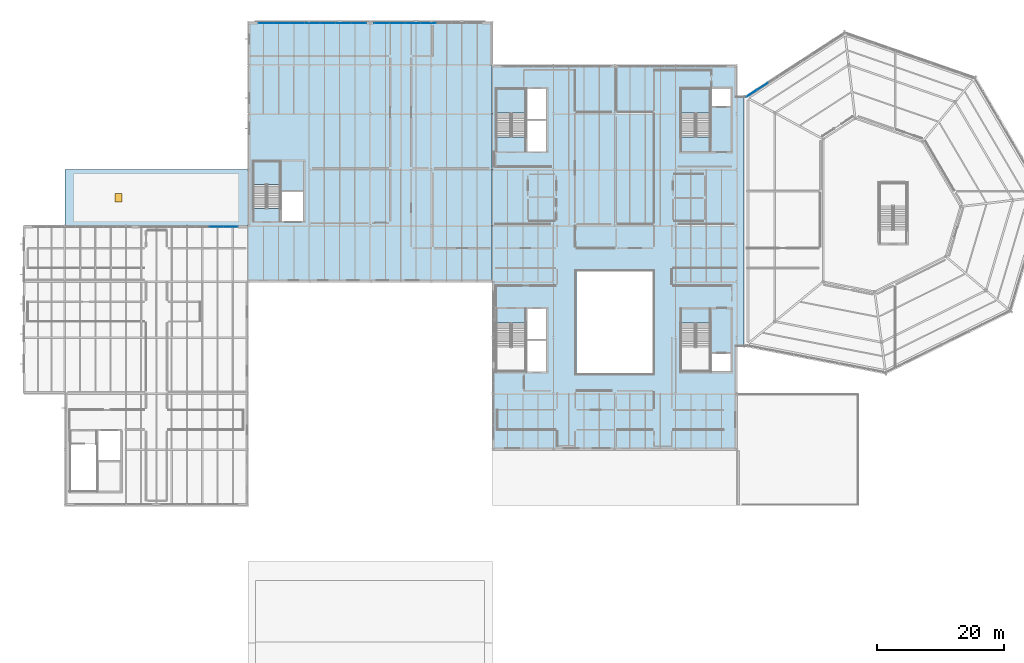
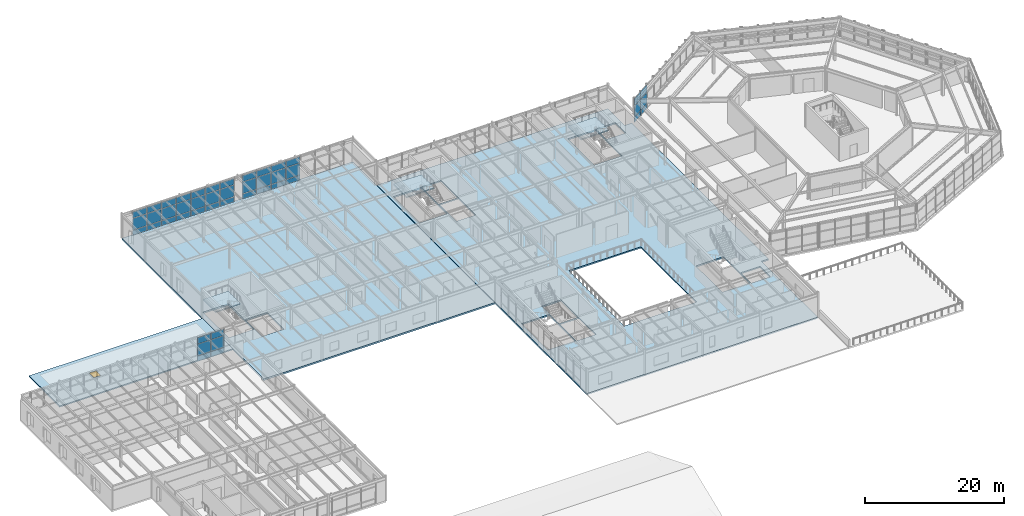
# One storey, part 40 of 69: 45 plates, 6 slabs, 1 door, 1 opening, 7 elements without a shape of their own.
"""IFC4 building model written with IfcOpenShell, lengths in metres."""

from ifc_helpers import new_model, si_unit, direction, frame, origin, origin_2d, place, context, subcontext, project, spatial, polyline, rectangle, outline, extrude, material, layer, layer_set, type_object, element, fill, aggregate, save


model = new_model("IFC4")

# Units and contexts
model_context = context("Model", 3, precision=1e-05, world=origin(), true_north=direction((0.0, 1.0)))
body_context = subcontext(model_context, "Body", "Model", "MODEL_VIEW")
ifc_project = project(units=[si_unit("LENGTHUNIT", "METRE"), si_unit("AREAUNIT", "SQUARE_METRE"), si_unit("VOLUMEUNIT", "CUBIC_METRE"), si_unit("PLANEANGLEUNIT", "RADIAN"), si_unit("MASSUNIT", "GRAM", prefix="KILO")], contexts=[model_context])

# Site, building, storey
site_placement = place(None, origin())
site = spatial("IfcSite", under=ifc_project, at=site_placement, CompositionType="ELEMENT")
building_placement = place(site_placement, origin())
building = spatial("IfcBuilding", under=site, at=building_placement, Name="Sarnbrook Museum", CompositionType="ELEMENT")
storey_placement = place(building_placement, frame((0.0, 0.0, 14.60009765625)))
storey = spatial("IfcBuildingStorey", under=building, at=storey_placement, Name="L03", CompositionType="ELEMENT", Elevation=14.60009765625)

# Curtain wall, plates
ifc_material_1 = material(Name="Thermally Broken Anodised Aluminium 6063-T6", Category="aluminium")
curtain_wall_type_1 = type_object("IfcCurtainWallType", Name="CurtainWall_CrystalFacet", PredefinedType="NOTDEFINED", material=ifc_material_1)
curtain_wall_1_placement = place(storey_placement, origin())
curtain_wall_1 = element("IfcCurtainWall", 1, at=curtain_wall_1_placement, inside=storey, type_object=curtain_wall_type_1, Name="Crystal Hall Facet Curtain Wall L03-F6.3", PredefinedType="NOTDEFINED")
ifc_material_2 = material(Name="Double-Glazed Low-Iron Laminated Safety Glass", Category="glass")
ifc_layer_1 = layer(ifc_material_2, 0.031982421875)
ifc_layer_set_1 = layer_set([ifc_layer_1], Name="Double-Glazed Low-Iron Laminated Safety Glass")
plate_type_1 = type_object("IfcPlateType", Name="CW_GlazedPanel_32", PredefinedType="CURTAIN_PANEL", material=ifc_layer_set_1)
plate_1_placement = place(storey_placement, frame((123.257080078125, 105.07763671875, 1.875), z_axis=(-0.54428459897, 0.838900634953, 0.0), x_axis=(-0.838900634953, -0.54428459897, 0.0)))
plate_1 = element("IfcPlate", 2, at=plate_1_placement, type_object=plate_type_1, Name="Crystal Hall Facet Curtain Wall L03-F6.3 Glazed Panel 2-2", PredefinedType="CURTAIN_PANEL", context=body_context, shape_type="SweptSolid", body=[
    extrude(rectangle(XDim=1.928955078125, YDim=1.8798828125, at=origin_2d()), origin(), (0.0, 0.0, 1.0), 0.031982421875),
])
plate_2_placement = place(storey_placement, frame((123.257080078125, 105.07763671875, 3.544921875), z_axis=(-0.54428459897, 0.838900634953, 0.0), x_axis=(-0.838900634953, -0.54428459897, 0.0)))
plate_2 = element("IfcPlate", 3, at=plate_2_placement, type_object=plate_type_1, Name="Crystal Hall Facet Curtain Wall L03-F6.3 Glazed Panel 2-3", PredefinedType="CURTAIN_PANEL", context=body_context, shape_type="SweptSolid", body=[
    extrude(rectangle(XDim=1.928955078125, YDim=1.320068359375, at=origin_2d()), origin(), (0.0, 0.0, 1.0), 0.031982421875),
])
plate_3_placement = place(storey_placement, frame((121.576171875, 103.98681640625, 1.875), z_axis=(-0.54428459897, 0.838900634953, 0.0), x_axis=(-0.838900634953, -0.54428459897, 0.0)))
plate_3 = element("IfcPlate", 4, at=plate_3_placement, type_object=plate_type_1, Name="Crystal Hall Facet Curtain Wall L03-F6.3 Glazed Panel 3-2", PredefinedType="CURTAIN_PANEL", context=body_context, shape_type="SweptSolid", body=[
    extrude(rectangle(XDim=1.928955078125, YDim=1.8798828125, at=origin_2d()), origin(), (0.0, 0.0, 1.0), 0.031982421875),
])
plate_4_placement = place(storey_placement, frame((121.576171875, 103.98681640625, 3.544921875), z_axis=(-0.54428459897, 0.838900634953, 0.0), x_axis=(-0.838900634953, -0.54428459897, 0.0)))
plate_4 = element("IfcPlate", 5, at=plate_4_placement, type_object=plate_type_1, Name="Crystal Hall Facet Curtain Wall L03-F6.3 Glazed Panel 3-3", PredefinedType="CURTAIN_PANEL", context=body_context, shape_type="SweptSolid", body=[
    extrude(rectangle(XDim=1.928955078125, YDim=1.320068359375, at=origin_2d()), origin(), (0.0, 0.0, 1.0), 0.031982421875),
])

curtain_wall_type_2 = type_object("IfcCurtainWallType", Name="CurtainWall_GalleryRibbon", PredefinedType="NOTDEFINED", material=ifc_material_1)
curtain_wall_2_placement = place(storey_placement, origin())
curtain_wall_2 = element("IfcCurtainWall", 6, at=curtain_wall_2_placement, inside=storey, type_object=curtain_wall_type_2, Name="Gallery Ribbon Curtain Wall L03-8.1", PredefinedType="NOTDEFINED")
plate_5_placement = place(storey_placement, frame((70.699951171875, 115.01220703125, 1.949951171875), z_axis=(0.0, 1.0, 0.0), x_axis=(-1.0, 0.0, 0.0)))
plate_5 = element("IfcPlate", 7, at=plate_5_placement, type_object=plate_type_1, Name="Gallery Ribbon Curtain Wall L03-8.1 Glazed Panel 4-2", PredefinedType="CURTAIN_PANEL", context=body_context, shape_type="SweptSolid", body=[
    extrude(rectangle(XDim=2.347900390625, YDim=2.030029296875, at=origin_2d()), origin(), (0.0, 0.0, 1.0), 0.031982421875),
])
plate_6_placement = place(storey_placement, frame((70.699951171875, 115.01220703125, 3.579833984375), z_axis=(0.0, 1.0, 0.0), x_axis=(-1.0, 0.0, 0.0)))
plate_6 = element("IfcPlate", 8, at=plate_6_placement, type_object=plate_type_1, Name="Gallery Ribbon Curtain Wall L03-8.1 Glazed Panel 4-3", PredefinedType="CURTAIN_PANEL", context=body_context, shape_type="SweptSolid", body=[
    extrude(rectangle(XDim=2.347900390625, YDim=1.090087890625, at=origin_2d()), origin(), (0.0, 0.0, 1.0), 0.031982421875),
])
plate_7_placement = place(storey_placement, frame((68.277099609375, 115.01220703125, 1.949951171875), z_axis=(0.0, 1.0, 0.0), x_axis=(-1.0, 0.0, 0.0)))
plate_7 = element("IfcPlate", 9, at=plate_7_placement, type_object=plate_type_1, Name="Gallery Ribbon Curtain Wall L03-8.1 Glazed Panel 5-2", PredefinedType="CURTAIN_PANEL", context=body_context, shape_type="SweptSolid", body=[
    extrude(rectangle(XDim=2.347900390625, YDim=2.030029296875, at=origin_2d()), origin(), (0.0, 0.0, 1.0), 0.031982421875),
])
plate_8_placement = place(storey_placement, frame((68.277099609375, 115.01220703125, 3.579833984375), z_axis=(0.0, 1.0, 0.0), x_axis=(-1.0, 0.0, 0.0)))
plate_8 = element("IfcPlate", 10, at=plate_8_placement, type_object=plate_type_1, Name="Gallery Ribbon Curtain Wall L03-8.1 Glazed Panel 5-3", PredefinedType="CURTAIN_PANEL", context=body_context, shape_type="SweptSolid", body=[
    extrude(rectangle(XDim=2.347900390625, YDim=1.090087890625, at=origin_2d()), origin(), (0.0, 0.0, 1.0), 0.031982421875),
])
plate_9_placement = place(storey_placement, frame((65.854248046875, 115.01220703125, 1.949951171875), z_axis=(0.0, 1.0, 0.0), x_axis=(-1.0, 0.0, 0.0)))
plate_9 = element("IfcPlate", 11, at=plate_9_placement, type_object=plate_type_1, Name="Gallery Ribbon Curtain Wall L03-8.1 Glazed Panel 6-2", PredefinedType="CURTAIN_PANEL", context=body_context, shape_type="SweptSolid", body=[
    extrude(rectangle(XDim=2.347900390625, YDim=2.030029296875, at=origin_2d()), origin(), (0.0, 0.0, 1.0), 0.031982421875),
])
plate_10_placement = place(storey_placement, frame((65.854248046875, 115.01220703125, 3.579833984375), z_axis=(0.0, 1.0, 0.0), x_axis=(-1.0, 0.0, 0.0)))
plate_10 = element("IfcPlate", 12, at=plate_10_placement, type_object=plate_type_1, Name="Gallery Ribbon Curtain Wall L03-8.1 Glazed Panel 6-3", PredefinedType="CURTAIN_PANEL", context=body_context, shape_type="SweptSolid", body=[
    extrude(rectangle(XDim=2.347900390625, YDim=1.090087890625, at=origin_2d()), origin(), (0.0, 0.0, 1.0), 0.031982421875),
])
plate_11_placement = place(storey_placement, frame((63.431396484375, 115.01220703125, 1.949951171875), z_axis=(0.0, 1.0, 0.0), x_axis=(-1.0, 0.0, 0.0)))
plate_11 = element("IfcPlate", 13, at=plate_11_placement, type_object=plate_type_1, Name="Gallery Ribbon Curtain Wall L03-8.1 Glazed Panel 7-2", PredefinedType="CURTAIN_PANEL", context=body_context, shape_type="SweptSolid", body=[
    extrude(rectangle(XDim=2.347900390625, YDim=2.030029296875, at=origin_2d()), origin(), (0.0, 0.0, 1.0), 0.031982421875),
])
plate_12_placement = place(storey_placement, frame((63.431396484375, 115.01220703125, 3.579833984375), z_axis=(0.0, 1.0, 0.0), x_axis=(-1.0, 0.0, 0.0)))
plate_12 = element("IfcPlate", 14, at=plate_12_placement, type_object=plate_type_1, Name="Gallery Ribbon Curtain Wall L03-8.1 Glazed Panel 7-3", PredefinedType="CURTAIN_PANEL", context=body_context, shape_type="SweptSolid", body=[
    extrude(rectangle(XDim=2.347900390625, YDim=1.090087890625, at=origin_2d()), origin(), (0.0, 0.0, 1.0), 0.031982421875),
])

curtain_wall_3_placement = place(storey_placement, origin())
curtain_wall_3 = element("IfcCurtainWall", 15, at=curtain_wall_3_placement, inside=storey, type_object=curtain_wall_type_2, Name="Gallery Ribbon Curtain Wall L03-8.2", PredefinedType="NOTDEFINED")
plate_13_placement = place(storey_placement, frame((59.7685546875, 115.01220703125, 1.949951171875), z_axis=(0.0, 1.0, 0.0), x_axis=(-1.0, 0.0, 0.0)))
plate_13 = element("IfcPlate", 16, at=plate_13_placement, type_object=plate_type_1, Name="Gallery Ribbon Curtain Wall L03-8.2 Glazed Panel 1-2", PredefinedType="CURTAIN_PANEL", context=body_context, shape_type="SweptSolid", body=[
    extrude(rectangle(XDim=2.347900390625, YDim=2.030029296875, at=origin_2d()), origin(), (0.0, 0.0, 1.0), 0.031982421875),
])
plate_14_placement = place(storey_placement, frame((59.7685546875, 115.01220703125, 3.579833984375), z_axis=(0.0, 1.0, 0.0), x_axis=(-1.0, 0.0, 0.0)))
plate_14 = element("IfcPlate", 17, at=plate_14_placement, type_object=plate_type_1, Name="Gallery Ribbon Curtain Wall L03-8.2 Glazed Panel 1-3", PredefinedType="CURTAIN_PANEL", context=body_context, shape_type="SweptSolid", body=[
    extrude(rectangle(XDim=2.347900390625, YDim=1.090087890625, at=origin_2d()), origin(), (0.0, 0.0, 1.0), 0.031982421875),
])
plate_15_placement = place(storey_placement, frame((57.345703125, 115.01220703125, 1.949951171875), z_axis=(0.0, 1.0, 0.0), x_axis=(-1.0, 0.0, 0.0)))
plate_15 = element("IfcPlate", 18, at=plate_15_placement, type_object=plate_type_1, Name="Gallery Ribbon Curtain Wall L03-8.2 Glazed Panel 2-2", PredefinedType="CURTAIN_PANEL", context=body_context, shape_type="SweptSolid", body=[
    extrude(rectangle(XDim=2.347900390625, YDim=2.030029296875, at=origin_2d()), origin(), (0.0, 0.0, 1.0), 0.031982421875),
])
plate_16_placement = place(storey_placement, frame((57.345703125, 115.01220703125, 3.579833984375), z_axis=(0.0, 1.0, 0.0), x_axis=(-1.0, 0.0, 0.0)))
plate_16 = element("IfcPlate", 19, at=plate_16_placement, type_object=plate_type_1, Name="Gallery Ribbon Curtain Wall L03-8.2 Glazed Panel 2-3", PredefinedType="CURTAIN_PANEL", context=body_context, shape_type="SweptSolid", body=[
    extrude(rectangle(XDim=2.347900390625, YDim=1.090087890625, at=origin_2d()), origin(), (0.0, 0.0, 1.0), 0.031982421875),
])
plate_17_placement = place(storey_placement, frame((54.9228515625, 115.01220703125, 1.949951171875), z_axis=(0.0, 1.0, 0.0), x_axis=(-1.0, 0.0, 0.0)))
plate_17 = element("IfcPlate", 20, at=plate_17_placement, type_object=plate_type_1, Name="Gallery Ribbon Curtain Wall L03-8.2 Glazed Panel 3-2", PredefinedType="CURTAIN_PANEL", context=body_context, shape_type="SweptSolid", body=[
    extrude(rectangle(XDim=2.347900390625, YDim=2.030029296875, at=origin_2d()), origin(), (0.0, 0.0, 1.0), 0.031982421875),
])
plate_18_placement = place(storey_placement, frame((54.9228515625, 115.01220703125, 3.579833984375), z_axis=(0.0, 1.0, 0.0), x_axis=(-1.0, 0.0, 0.0)))
plate_18 = element("IfcPlate", 21, at=plate_18_placement, type_object=plate_type_1, Name="Gallery Ribbon Curtain Wall L03-8.2 Glazed Panel 3-3", PredefinedType="CURTAIN_PANEL", context=body_context, shape_type="SweptSolid", body=[
    extrude(rectangle(XDim=2.347900390625, YDim=1.090087890625, at=origin_2d()), origin(), (0.0, 0.0, 1.0), 0.031982421875),
])
plate_19_placement = place(storey_placement, frame((52.5, 115.01220703125, 1.949951171875), z_axis=(0.0, 1.0, 0.0), x_axis=(-1.0, 0.0, 0.0)))
plate_19 = element("IfcPlate", 22, at=plate_19_placement, type_object=plate_type_1, Name="Gallery Ribbon Curtain Wall L03-8.2 Glazed Panel 4-2", PredefinedType="CURTAIN_PANEL", context=body_context, shape_type="SweptSolid", body=[
    extrude(rectangle(XDim=2.347900390625, YDim=2.030029296875, at=origin_2d()), origin(), (0.0, 0.0, 1.0), 0.031982421875),
])
plate_20_placement = place(storey_placement, frame((52.5, 115.01220703125, 3.579833984375), z_axis=(0.0, 1.0, 0.0), x_axis=(-1.0, 0.0, 0.0)))
plate_20 = element("IfcPlate", 23, at=plate_20_placement, type_object=plate_type_1, Name="Gallery Ribbon Curtain Wall L03-8.2 Glazed Panel 4-3", PredefinedType="CURTAIN_PANEL", context=body_context, shape_type="SweptSolid", body=[
    extrude(rectangle(XDim=2.347900390625, YDim=1.090087890625, at=origin_2d()), origin(), (0.0, 0.0, 1.0), 0.031982421875),
])
plate_21_placement = place(storey_placement, frame((50.0771484375, 115.01220703125, 1.949951171875), z_axis=(0.0, 1.0, 0.0), x_axis=(-1.0, 0.0, 0.0)))
plate_21 = element("IfcPlate", 24, at=plate_21_placement, type_object=plate_type_1, Name="Gallery Ribbon Curtain Wall L03-8.2 Glazed Panel 5-2", PredefinedType="CURTAIN_PANEL", context=body_context, shape_type="SweptSolid", body=[
    extrude(rectangle(XDim=2.347900390625, YDim=2.030029296875, at=origin_2d()), origin(), (0.0, 0.0, 1.0), 0.031982421875),
])
plate_22_placement = place(storey_placement, frame((50.0771484375, 115.01220703125, 3.579833984375), z_axis=(0.0, 1.0, 0.0), x_axis=(-1.0, 0.0, 0.0)))
plate_22 = element("IfcPlate", 25, at=plate_22_placement, type_object=plate_type_1, Name="Gallery Ribbon Curtain Wall L03-8.2 Glazed Panel 5-3", PredefinedType="CURTAIN_PANEL", context=body_context, shape_type="SweptSolid", body=[
    extrude(rectangle(XDim=2.347900390625, YDim=1.090087890625, at=origin_2d()), origin(), (0.0, 0.0, 1.0), 0.031982421875),
])
plate_23_placement = place(storey_placement, frame((47.654296875, 115.01220703125, 1.949951171875), z_axis=(0.0, 1.0, 0.0), x_axis=(-1.0, 0.0, 0.0)))
plate_23 = element("IfcPlate", 26, at=plate_23_placement, type_object=plate_type_1, Name="Gallery Ribbon Curtain Wall L03-8.2 Glazed Panel 6-2", PredefinedType="CURTAIN_PANEL", context=body_context, shape_type="SweptSolid", body=[
    extrude(rectangle(XDim=2.347900390625, YDim=2.030029296875, at=origin_2d()), origin(), (0.0, 0.0, 1.0), 0.031982421875),
])
plate_24_placement = place(storey_placement, frame((47.654296875, 115.01220703125, 3.579833984375), z_axis=(0.0, 1.0, 0.0), x_axis=(-1.0, 0.0, 0.0)))
plate_24 = element("IfcPlate", 27, at=plate_24_placement, type_object=plate_type_1, Name="Gallery Ribbon Curtain Wall L03-8.2 Glazed Panel 6-3", PredefinedType="CURTAIN_PANEL", context=body_context, shape_type="SweptSolid", body=[
    extrude(rectangle(XDim=2.347900390625, YDim=1.090087890625, at=origin_2d()), origin(), (0.0, 0.0, 1.0), 0.031982421875),
])
plate_25_placement = place(storey_placement, frame((45.2314453125, 115.01220703125, 1.949951171875), z_axis=(0.0, 1.0, 0.0), x_axis=(-1.0, 0.0, 0.0)))
plate_25 = element("IfcPlate", 28, at=plate_25_placement, type_object=plate_type_1, Name="Gallery Ribbon Curtain Wall L03-8.2 Glazed Panel 7-2", PredefinedType="CURTAIN_PANEL", context=body_context, shape_type="SweptSolid", body=[
    extrude(rectangle(XDim=2.347900390625, YDim=2.030029296875, at=origin_2d()), origin(), (0.0, 0.0, 1.0), 0.031982421875),
])
plate_26_placement = place(storey_placement, frame((45.2314453125, 115.01220703125, 3.579833984375), z_axis=(0.0, 1.0, 0.0), x_axis=(-1.0, 0.0, 0.0)))
plate_26 = element("IfcPlate", 29, at=plate_26_placement, type_object=plate_type_1, Name="Gallery Ribbon Curtain Wall L03-8.2 Glazed Panel 7-3", PredefinedType="CURTAIN_PANEL", context=body_context, shape_type="SweptSolid", body=[
    extrude(rectangle(XDim=2.347900390625, YDim=1.090087890625, at=origin_2d()), origin(), (0.0, 0.0, 1.0), 0.031982421875),
])

curtain_wall_4_placement = place(storey_placement, origin())
curtain_wall_4 = element("IfcCurtainWall", 30, at=curtain_wall_4_placement, inside=storey, type_object=curtain_wall_type_2, Name="Gallery Ribbon Curtain Wall L03-10.1", PredefinedType="NOTDEFINED")
plate_27_placement = place(storey_placement, frame((39.67578125, 83.01220703125, 1.949951171875), z_axis=(0.0, 1.0, 0.0), x_axis=(-1.0, 0.0, 0.0)))
plate_27 = element("IfcPlate", 31, at=plate_27_placement, type_object=plate_type_1, Name="Gallery Ribbon Curtain Wall L03-10.1 Glazed Panel 1-2", PredefinedType="CURTAIN_PANEL", context=body_context, shape_type="SweptSolid", body=[
    extrude(rectangle(XDim=2.133544921875, YDim=2.030029296875, at=origin_2d()), origin(), (0.0, 0.0, 1.0), 0.031982421875),
])
plate_28_placement = place(storey_placement, frame((39.67578125, 83.01220703125, 3.579833984375), z_axis=(0.0, 1.0, 0.0), x_axis=(-1.0, 0.0, 0.0)))
plate_28 = element("IfcPlate", 32, at=plate_28_placement, type_object=plate_type_1, Name="Gallery Ribbon Curtain Wall L03-10.1 Glazed Panel 1-3", PredefinedType="CURTAIN_PANEL", context=body_context, shape_type="SweptSolid", body=[
    extrude(rectangle(XDim=2.133544921875, YDim=1.090087890625, at=origin_2d()), origin(), (0.0, 0.0, 1.0), 0.031982421875),
])
plate_29_placement = place(storey_placement, frame((37.467041015625, 83.01220703125, 1.949951171875), z_axis=(0.0, 1.0, 0.0), x_axis=(-1.0, 0.0, 0.0)))
plate_29 = element("IfcPlate", 33, at=plate_29_placement, type_object=plate_type_1, Name="Gallery Ribbon Curtain Wall L03-10.1 Glazed Panel 2-2", PredefinedType="CURTAIN_PANEL", context=body_context, shape_type="SweptSolid", body=[
    extrude(rectangle(XDim=2.133544921875, YDim=2.030029296875, at=origin_2d()), origin(), (0.0, 0.0, 1.0), 0.031982421875),
])
plate_30_placement = place(storey_placement, frame((37.467041015625, 83.01220703125, 3.579833984375), z_axis=(0.0, 1.0, 0.0), x_axis=(-1.0, 0.0, 0.0)))
plate_30 = element("IfcPlate", 34, at=plate_30_placement, type_object=plate_type_1, Name="Gallery Ribbon Curtain Wall L03-10.1 Glazed Panel 2-3", PredefinedType="CURTAIN_PANEL", context=body_context, shape_type="SweptSolid", body=[
    extrude(rectangle(XDim=2.133544921875, YDim=1.090087890625, at=origin_2d()), origin(), (0.0, 0.0, 1.0), 0.031982421875),
])

# Plate
ifc_material_3 = material(Name="Patinated Architectural Bronze")
ifc_layer_2 = layer(ifc_material_3, 0.044921875)
ifc_layer_set_2 = layer_set([ifc_layer_2], Name="Patinated Architectural Bronze")
plate_type_2 = type_object("IfcPlateType", Name="CW_SpandrelPanel_45", PredefinedType="CURTAIN_PANEL", material=ifc_layer_set_2)
plate_31_placement = place(storey_placement, frame((123.260498046875, 105.072265625, 0.449951171875), z_axis=(-0.54428459897, 0.838900634953, 0.0), x_axis=(-0.838900634953, -0.54428459897, 0.0)))
plate_31 = element("IfcPlate", 35, at=plate_31_placement, type_object=plate_type_2, Name="Crystal Hall Facet Curtain Wall L03-F6.3 Spandrel Panel 2-1", PredefinedType="CURTAIN_PANEL", context=body_context, shape_type="SweptSolid", body=[
    extrude(rectangle(XDim=1.928955078125, YDim=0.830078125, at=origin_2d()), origin(), (0.0, 0.0, 1.0), 0.044921875),
])

plate_32_placement = place(storey_placement, frame((121.57958984375, 103.9814453125, 0.449951171875), z_axis=(-0.54428459897, 0.838900634953, 0.0), x_axis=(-0.838900634953, -0.54428459897, 0.0)))
plate_32 = element("IfcPlate", 36, at=plate_32_placement, type_object=plate_type_2, Name="Crystal Hall Facet Curtain Wall L03-F6.3 Spandrel Panel 3-1", PredefinedType="CURTAIN_PANEL", context=body_context, shape_type="SweptSolid", body=[
    extrude(rectangle(XDim=1.928955078125, YDim=0.830078125, at=origin_2d()), origin(), (0.0, 0.0, 1.0), 0.044921875),
])

aggregate(curtain_wall_1, [plate_31, plate_1, plate_2, plate_32, plate_3, plate_4])

plate_33_placement = place(storey_placement, frame((70.699951171875, 115.005615234375, 0.449951171875), z_axis=(0.0, 1.0, 0.0), x_axis=(-1.0, 0.0, 0.0)))
plate_33 = element("IfcPlate", 37, at=plate_33_placement, type_object=plate_type_2, Name="Gallery Ribbon Curtain Wall L03-8.1 Spandrel Panel 4-1", PredefinedType="CURTAIN_PANEL", context=body_context, shape_type="SweptSolid", body=[
    extrude(rectangle(XDim=2.347900390625, YDim=0.830078125, at=origin_2d()), origin(), (0.0, 0.0, 1.0), 0.044921875),
])

plate_34_placement = place(storey_placement, frame((68.277099609375, 115.005615234375, 0.449951171875), z_axis=(0.0, 1.0, 0.0), x_axis=(-1.0, 0.0, 0.0)))
plate_34 = element("IfcPlate", 38, at=plate_34_placement, type_object=plate_type_2, Name="Gallery Ribbon Curtain Wall L03-8.1 Spandrel Panel 5-1", PredefinedType="CURTAIN_PANEL", context=body_context, shape_type="SweptSolid", body=[
    extrude(rectangle(XDim=2.347900390625, YDim=0.830078125, at=origin_2d()), origin(), (0.0, 0.0, 1.0), 0.044921875),
])

plate_35_placement = place(storey_placement, frame((65.854248046875, 115.005615234375, 0.449951171875), z_axis=(0.0, 1.0, 0.0), x_axis=(-1.0, 0.0, 0.0)))
plate_35 = element("IfcPlate", 39, at=plate_35_placement, type_object=plate_type_2, Name="Gallery Ribbon Curtain Wall L03-8.1 Spandrel Panel 6-1", PredefinedType="CURTAIN_PANEL", context=body_context, shape_type="SweptSolid", body=[
    extrude(rectangle(XDim=2.347900390625, YDim=0.830078125, at=origin_2d()), origin(), (0.0, 0.0, 1.0), 0.044921875),
])

plate_36_placement = place(storey_placement, frame((63.431396484375, 115.005615234375, 0.449951171875), z_axis=(0.0, 1.0, 0.0), x_axis=(-1.0, 0.0, 0.0)))
plate_36 = element("IfcPlate", 40, at=plate_36_placement, type_object=plate_type_2, Name="Gallery Ribbon Curtain Wall L03-8.1 Spandrel Panel 7-1", PredefinedType="CURTAIN_PANEL", context=body_context, shape_type="SweptSolid", body=[
    extrude(rectangle(XDim=2.347900390625, YDim=0.830078125, at=origin_2d()), origin(), (0.0, 0.0, 1.0), 0.044921875),
])

aggregate(curtain_wall_2, [plate_33, plate_5, plate_6, plate_34, plate_7, plate_8, plate_35, plate_9, plate_10, plate_36, plate_11, plate_12])

plate_37_placement = place(storey_placement, frame((59.7685546875, 115.005615234375, 0.449951171875), z_axis=(0.0, 1.0, 0.0), x_axis=(-1.0, 0.0, 0.0)))
plate_37 = element("IfcPlate", 41, at=plate_37_placement, type_object=plate_type_2, Name="Gallery Ribbon Curtain Wall L03-8.2 Spandrel Panel 1-1", PredefinedType="CURTAIN_PANEL", context=body_context, shape_type="SweptSolid", body=[
    extrude(rectangle(XDim=2.347900390625, YDim=0.830078125, at=origin_2d()), origin(), (0.0, 0.0, 1.0), 0.044921875),
])

plate_38_placement = place(storey_placement, frame((57.345703125, 115.005615234375, 0.449951171875), z_axis=(0.0, 1.0, 0.0), x_axis=(-1.0, 0.0, 0.0)))
plate_38 = element("IfcPlate", 42, at=plate_38_placement, type_object=plate_type_2, Name="Gallery Ribbon Curtain Wall L03-8.2 Spandrel Panel 2-1", PredefinedType="CURTAIN_PANEL", context=body_context, shape_type="SweptSolid", body=[
    extrude(rectangle(XDim=2.347900390625, YDim=0.830078125, at=origin_2d()), origin(), (0.0, 0.0, 1.0), 0.044921875),
])

plate_39_placement = place(storey_placement, frame((54.9228515625, 115.005615234375, 0.449951171875), z_axis=(0.0, 1.0, 0.0), x_axis=(-1.0, 0.0, 0.0)))
plate_39 = element("IfcPlate", 43, at=plate_39_placement, type_object=plate_type_2, Name="Gallery Ribbon Curtain Wall L03-8.2 Spandrel Panel 3-1", PredefinedType="CURTAIN_PANEL", context=body_context, shape_type="SweptSolid", body=[
    extrude(rectangle(XDim=2.347900390625, YDim=0.830078125, at=origin_2d()), origin(), (0.0, 0.0, 1.0), 0.044921875),
])

plate_40_placement = place(storey_placement, frame((52.5, 115.005615234375, 0.449951171875), z_axis=(0.0, 1.0, 0.0), x_axis=(-1.0, 0.0, 0.0)))
plate_40 = element("IfcPlate", 44, at=plate_40_placement, type_object=plate_type_2, Name="Gallery Ribbon Curtain Wall L03-8.2 Spandrel Panel 4-1", PredefinedType="CURTAIN_PANEL", context=body_context, shape_type="SweptSolid", body=[
    extrude(rectangle(XDim=2.347900390625, YDim=0.830078125, at=origin_2d()), origin(), (0.0, 0.0, 1.0), 0.044921875),
])

plate_41_placement = place(storey_placement, frame((50.0771484375, 115.005615234375, 0.449951171875), z_axis=(0.0, 1.0, 0.0), x_axis=(-1.0, 0.0, 0.0)))
plate_41 = element("IfcPlate", 45, at=plate_41_placement, type_object=plate_type_2, Name="Gallery Ribbon Curtain Wall L03-8.2 Spandrel Panel 5-1", PredefinedType="CURTAIN_PANEL", context=body_context, shape_type="SweptSolid", body=[
    extrude(rectangle(XDim=2.347900390625, YDim=0.830078125, at=origin_2d()), origin(), (0.0, 0.0, 1.0), 0.044921875),
])

plate_42_placement = place(storey_placement, frame((47.654296875, 115.005615234375, 0.449951171875), z_axis=(0.0, 1.0, 0.0), x_axis=(-1.0, 0.0, 0.0)))
plate_42 = element("IfcPlate", 46, at=plate_42_placement, type_object=plate_type_2, Name="Gallery Ribbon Curtain Wall L03-8.2 Spandrel Panel 6-1", PredefinedType="CURTAIN_PANEL", context=body_context, shape_type="SweptSolid", body=[
    extrude(rectangle(XDim=2.347900390625, YDim=0.830078125, at=origin_2d()), origin(), (0.0, 0.0, 1.0), 0.044921875),
])

plate_43_placement = place(storey_placement, frame((45.2314453125, 115.005615234375, 0.449951171875), z_axis=(0.0, 1.0, 0.0), x_axis=(-1.0, 0.0, 0.0)))
plate_43 = element("IfcPlate", 47, at=plate_43_placement, type_object=plate_type_2, Name="Gallery Ribbon Curtain Wall L03-8.2 Spandrel Panel 7-1", PredefinedType="CURTAIN_PANEL", context=body_context, shape_type="SweptSolid", body=[
    extrude(rectangle(XDim=2.347900390625, YDim=0.830078125, at=origin_2d()), origin(), (0.0, 0.0, 1.0), 0.044921875),
])

aggregate(curtain_wall_3, [plate_37, plate_13, plate_14, plate_38, plate_15, plate_16, plate_39, plate_17, plate_18, plate_40, plate_19, plate_20, plate_41, plate_21, plate_22, plate_42, plate_23, plate_24, plate_43, plate_25, plate_26])

plate_44_placement = place(storey_placement, frame((39.67578125, 83.005615234375, 0.449951171875), z_axis=(0.0, 1.0, 0.0), x_axis=(-1.0, 0.0, 0.0)))
plate_44 = element("IfcPlate", 48, at=plate_44_placement, type_object=plate_type_2, Name="Gallery Ribbon Curtain Wall L03-10.1 Spandrel Panel 1-1", PredefinedType="CURTAIN_PANEL", context=body_context, shape_type="SweptSolid", body=[
    extrude(rectangle(XDim=2.133544921875, YDim=0.830078125, at=origin_2d()), origin(), (0.0, 0.0, 1.0), 0.044921875),
])

plate_45_placement = place(storey_placement, frame((37.467041015625, 83.005615234375, 0.449951171875), z_axis=(0.0, 1.0, 0.0), x_axis=(-1.0, 0.0, 0.0)))
plate_45 = element("IfcPlate", 49, at=plate_45_placement, type_object=plate_type_2, Name="Gallery Ribbon Curtain Wall L03-10.1 Spandrel Panel 2-1", PredefinedType="CURTAIN_PANEL", context=body_context, shape_type="SweptSolid", body=[
    extrude(rectangle(XDim=2.133544921875, YDim=0.830078125, at=origin_2d()), origin(), (0.0, 0.0, 1.0), 0.044921875),
])

aggregate(curtain_wall_4, [plate_44, plate_27, plate_28, plate_45, plate_29, plate_30])

# Slabs
ifc_material_4 = material(Name="Concrete N40 (AS 3600, f'c = 40 MPa)", Category="concrete")
ifc_layer_3 = layer(ifc_material_4, 0.25)
ifc_layer_set_3 = layer_set([ifc_layer_3], Name="Concrete N40 (AS 3600, f'c = 40 MPa)")
slab_type_1 = type_object("IfcSlabType", Name="FloorSlab_250", PredefinedType="FLOOR", material=ifc_layer_set_3)
slab_1_placement = place(storey_placement, frame((0.0, 0.0, -0.25)))
element("IfcSlab", 50, at=slab_1_placement, inside=storey, type_object=slab_type_1, Name="V2 Structural Slab L03", PredefinedType="FLOOR", context=body_context, shape_type="SweptSolid", body=[
    extrude(outline(polyline([(120.380859375, 103.556396484375), (120.380859375, 64.17626953125), (119.199951171875, 64.17626953125), (119.199951171875, 48.0), (80.8349609375, 48.0), (80.8349609375, 108.39990234375), (119.199951171875, 108.39990234375), (119.199951171875, 103.556396484375), (120.380859375, 103.556396484375)]), holes=[polyline([(86.199951171875, 65.179931640625), (89.39990234375, 65.179931640625), (89.39990234375, 60.199951171875), (86.199951171875, 60.199951171875), (86.199951171875, 65.179931640625)]), polyline([(81.43994140625, 67.879638671875), (86.06005859375, 67.879638671875), (86.06005859375, 60.300048828125), (81.43994140625, 60.300048828125), (81.43994140625, 67.879638671875)]), polyline([(86.199951171875, 70.199951171875), (89.39990234375, 70.199951171875), (89.39990234375, 65.219970703125), (86.199951171875, 65.219970703125), (86.199951171875, 70.199951171875)]), polyline([(89.39990234375, 99.780029296875), (89.39990234375, 94.800048828125), (86.199951171875, 94.800048828125), (86.199951171875, 99.780029296875), (89.39990234375, 99.780029296875)]), polyline([(86.06005859375, 104.699951171875), (86.06005859375, 97.120361328125), (81.43994140625, 97.120361328125), (81.43994140625, 104.699951171875), (86.06005859375, 104.699951171875)]), polyline([(86.199951171875, 104.800048828125), (89.39990234375, 104.800048828125), (89.39990234375, 99.820068359375), (86.199951171875, 99.820068359375), (86.199951171875, 104.800048828125)]), polyline([(118.39990234375, 63.179931640625), (118.39990234375, 60.199951171875), (115.199951171875, 60.199951171875), (115.199951171875, 63.179931640625), (118.39990234375, 63.179931640625)]), polyline([(115.06005859375, 67.879638671875), (115.06005859375, 60.300048828125), (110.43994140625, 60.300048828125), (110.43994140625, 67.879638671875), (115.06005859375, 67.879638671875)]), polyline([(94.0, 76.0), (106.0, 76.0), (106.0, 60.0), (94.0, 60.0), (94.0, 76.0)]), polyline([(115.06005859375, 104.699951171875), (115.06005859375, 97.120361328125), (110.43994140625, 97.120361328125), (110.43994140625, 104.699951171875), (115.06005859375, 104.699951171875)]), polyline([(118.39990234375, 104.800048828125), (118.39990234375, 101.820068359375), (115.199951171875, 101.820068359375), (115.199951171875, 104.800048828125), (118.39990234375, 104.800048828125)])]), origin(), (0.0, 0.0, 1.0), 0.25),
])
ifc_layer_4 = layer(ifc_material_4, 0.2900390625)
ifc_layer_set_4 = layer_set([ifc_layer_4], Name="Concrete N40 (AS 3600, f'c = 40 MPa)")
slab_type_2 = type_object("IfcSlabType", Name="FloorSlab_290", PredefinedType="FLOOR", material=ifc_layer_set_4)
slab_2_placement = place(storey_placement, frame((0.0, 0.0, -0.2900390625)))
element("IfcSlab", 51, at=slab_2_placement, inside=storey, type_object=slab_type_2, Name="V5N Structural Slab L03", PredefinedType="FLOOR", context=body_context, shape_type="SweptSolid", body=[
    extrude(outline(polyline([(80.764892578125, 115.199951171875), (80.764892578125, 74.39990234375), (42.404052734375, 74.39990234375), (42.404052734375, 83.2041015625), (42.39990234375, 83.2041015625), (42.39990234375, 115.199951171875), (80.764892578125, 115.199951171875)]), holes=[polyline([(51.199951171875, 83.800048828125), (47.580078125, 83.800048828125), (47.580078125, 88.6201171875), (51.199951171875, 88.6201171875), (51.199951171875, 83.800048828125)]), polyline([(47.43994140625, 85.92041015625), (43.239990234375, 85.92041015625), (43.239990234375, 93.300048828125), (47.43994140625, 93.300048828125), (47.43994140625, 85.92041015625)])]), origin(), (0.0, 0.0, 1.0), 0.2900390625),
])

# Stair, slab
stair_type_1 = type_object("IfcStairType", Name="Stair_ST03", PredefinedType="HALF_TURN_STAIR", material=ifc_material_4)
stair_1_placement = place(storey_placement, origin())
stair_1 = element("IfcStair", 52, at=stair_1_placement, inside=storey, type_object=stair_type_1, Name="L03 Exit Stair ST2", PredefinedType="HALF_TURN_STAIR")
ifc_layer_5 = layer(ifc_material_4, 0.199951171875)
ifc_layer_set_5 = layer_set([ifc_layer_5], Name="Concrete N40 (AS 3600, f'c = 40 MPa)")
slab_type_3 = type_object("IfcSlabType", Name="Landing_200", PredefinedType="LANDING", material=ifc_layer_set_5)
slab_3_placement = place(storey_placement, frame((0.0, 0.0, 2.0498046875)))
slab_3 = element("IfcSlab", 53, at=slab_3_placement, type_object=slab_type_3, Name="ST2 landing 1", PredefinedType="LANDING", context=body_context, shape_type="SweptSolid", body=[
    extrude(outline(polyline([(115.06005859375, 100.889892578125), (115.06005859375, 104.699951171875), (110.43994140625, 104.699951171875), (110.43994140625, 100.889892578125), (115.06005859375, 100.889892578125)])), origin(), (0.0, 0.0, 1.0), 0.2001953125),
])
aggregate(stair_1, [slab_3])

stair_2_placement = place(storey_placement, origin())
stair_2 = element("IfcStair", 54, at=stair_2_placement, inside=storey, type_object=stair_type_1, Name="L03 Exit Stair ST4", PredefinedType="HALF_TURN_STAIR")
slab_4_placement = place(storey_placement, frame((0.0, 0.0, 2.0498046875)))
slab_4 = element("IfcSlab", 55, at=slab_4_placement, type_object=slab_type_3, Name="ST4 landing 1", PredefinedType="LANDING", context=body_context, shape_type="SweptSolid", body=[
    extrude(outline(polyline([(86.06005859375, 100.889892578125), (86.06005859375, 104.699951171875), (81.43994140625, 104.699951171875), (81.43994140625, 100.889892578125), (86.06005859375, 100.889892578125)])), origin(), (0.0, 0.0, 1.0), 0.2001953125),
])
aggregate(stair_2, [slab_4])

stair_type_2 = type_object("IfcStairType", Name="Stair_ST07", PredefinedType="HALF_TURN_STAIR", material=ifc_material_4)
stair_3_placement = place(storey_placement, origin())
stair_3 = element("IfcStair", 56, at=stair_3_placement, inside=storey, type_object=stair_type_2, Name="L03 Exit Stair ST6", PredefinedType="HALF_TURN_STAIR")
slab_5_placement = place(storey_placement, frame((0.0, 0.0, 2.0498046875)))
slab_5 = element("IfcSlab", 57, at=slab_5_placement, type_object=slab_type_3, Name="ST6 landing 1", PredefinedType="LANDING", context=body_context, shape_type="SweptSolid", body=[
    extrude(outline(polyline([(47.43994140625, 89.68994140625), (47.43994140625, 93.300048828125), (43.239990234375, 93.300048828125), (43.239990234375, 89.68994140625), (47.43994140625, 89.68994140625)])), origin(), (0.0, 0.0, 1.0), 0.2001953125),
])
aggregate(stair_3, [slab_5])

# Slab, opening, door
ifc_layer_6 = layer(ifc_material_4, 0.2099609375)
ifc_layer_set_6 = layer_set([ifc_layer_6], Name="Concrete N40 (AS 3600, f'c = 40 MPa)")
slab_type_4 = type_object("IfcSlabType", Name="RoofSlab_Zinc210", PredefinedType="ROOF", material=ifc_layer_set_6)
slab_6_placement = place(storey_placement, frame((0.0, 0.0, -0.210205078125)))
slab_6 = element("IfcSlab", 58, at=slab_6_placement, inside=storey, type_object=slab_type_4, Name="Sculpture Wing Setback Roof L03", PredefinedType="ROOF", context=body_context, shape_type="SweptSolid", body=[
    extrude(outline(polyline([(13.60009765625, 92.0), (42.39599609375, 92.0), (42.39599609375, 83.2041015625), (13.60009765625, 83.2041015625), (13.60009765625, 92.0)])), origin(), (0.0, 0.0, 1.0), 0.210205078125),
])
opening_placement = place(slab_6_placement, frame((22.0, 87.60009765625, -0.010009765625)))
opening = element("IfcOpeningElement", 59, at=opening_placement, cuts=slab_6, Name="Opening RH-05", PredefinedType="OPENING", context=body_context, shape_type="SweptSolid", body=[
    extrude(rectangle(XDim=1.10009765625, YDim=1.300048828125, at=origin_2d()), origin(), (0.0, 0.0, 1.0), 0.230224609375),
])
ifc_material_5 = material(Name="Brushed Stainless Steel Grade 316", Category="steel")
door_type = type_object("IfcDoorType", Name="HatchType_HT1", OperationType="SINGLE_SWING_LEFT", PredefinedType="TRAPDOOR", material=ifc_material_5)
door_placement = place(opening_placement, frame((0.0, 0.0, 0.18017578125)))
door = element("IfcDoor", 60, at=door_placement, inside=storey, type_object=door_type, Name="Roof Maintenance Access Hatch RH-05", OperationType="SINGLE_SWING_LEFT", OverallHeight=1.300048828125, OverallWidth=1.10009765625, PredefinedType="TRAPDOOR", context=body_context, shape_type="SweptSolid", body=[
    extrude(rectangle(XDim=1.10009765625, YDim=1.300048828125, at=origin_2d()), origin(), (0.0, 0.0, 1.0), 0.0400390625),
])
fill(opening, door)

save(model, "model.ifc")
